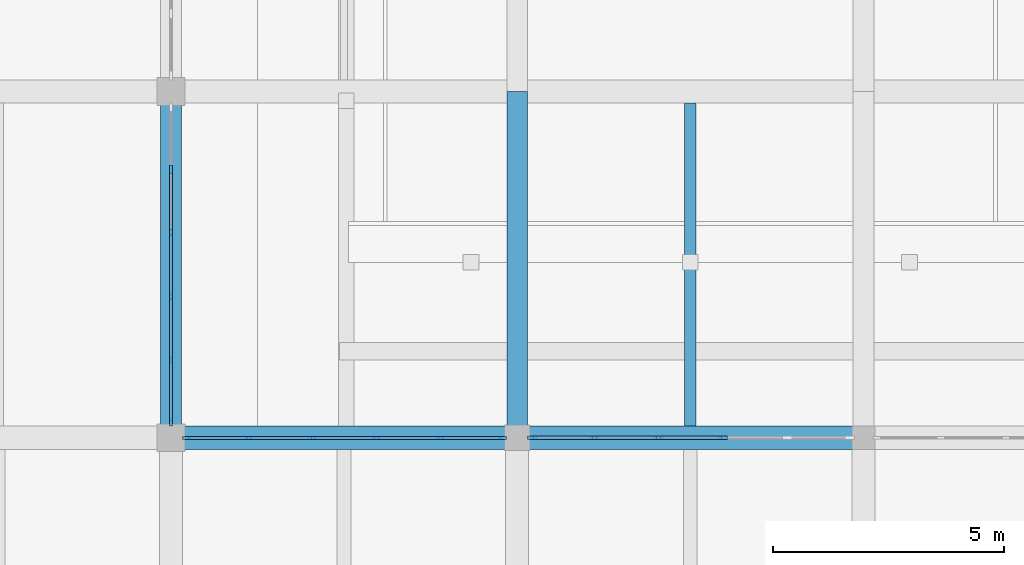
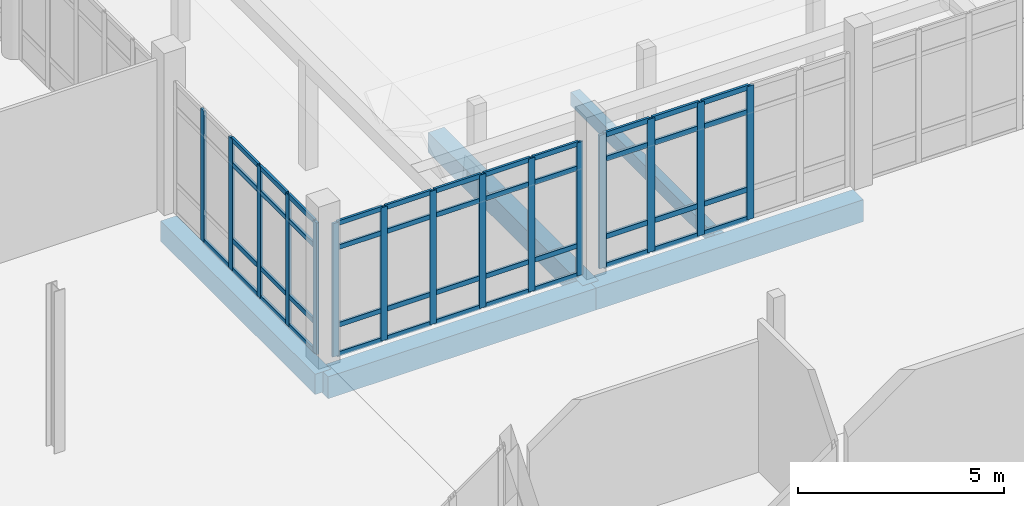
# One storey, part 35 of 125: 60 members, 5 beams, 3 elements without a shape of their own.
"""IFC4 building model written with IfcOpenShell, lengths in metres."""

from ifc_helpers import new_model, si_unit, direction, frame, origin, origin_2d, place, context, subcontext, project, spatial, rectangle, extrude, material, layer, layer_set, material_profile, profile_set, type_object, element, aggregate, save


model = new_model("IFC4")

# Units and contexts
model_context = context("Model", 3, precision=1e-05, world=origin(), true_north=direction((0.0, 1.0)))
body_context = subcontext(model_context, "Body", "Model", "MODEL_VIEW")
ifc_project = project(units=[si_unit("LENGTHUNIT", "METRE"), si_unit("AREAUNIT", "SQUARE_METRE"), si_unit("VOLUMEUNIT", "CUBIC_METRE"), si_unit("PLANEANGLEUNIT", "RADIAN"), si_unit("MASSUNIT", "GRAM", prefix="KILO")], contexts=[model_context])

# Site, building, storey
site_placement = place(None, origin())
site = spatial("IfcSite", under=ifc_project, at=site_placement, CompositionType="ELEMENT")
building_placement = place(site_placement, origin())
building = spatial("IfcBuilding", under=site, at=building_placement, Name="Dalvernix Boulevard General Hospital", CompositionType="ELEMENT")
storey_placement = place(building_placement, origin())
storey = spatial("IfcBuildingStorey", under=building, at=storey_placement, Name="L00", CompositionType="ELEMENT", Elevation=0.0)

# Beams
ifc_material_1 = material(Name="Concrete C35/45", Category="concrete")
ifc_material_profile_1 = material_profile(ifc_material_1, rectangle(XDim=0.5, YDim=0.64990234375, at=origin_2d()), Name="RCB 500x650")
ifc_profile_set_1 = profile_set([ifc_material_profile_1], Name="Concrete C35/45")
beam_type_1 = type_object("IfcBeamType", Name="BM-B-02-I", PredefinedType="BEAM", material=ifc_profile_set_1)
for number, where, z_axis, x_axis, name in (
    (1, (112.5, 31.5, -0.68505859375), (1.0, 0.0, 0.0), (0.0, 1.0, 0.0), "L00 E-W girder E:16-17"),
    (2, (120.0, 31.5, -0.68505859375), (1.0, 0.0, 0.0), (0.0, 1.0, 0.0), "L00 E-W girder E:17-18"),
):
    element("IfcBeam", number, at=place(storey_placement, frame(where, z_axis=z_axis, x_axis=x_axis)), inside=storey, type_object=beam_type_1, Name=name, PredefinedType="BEAM", context=body_context, shape_type="SweptSolid", body=[
        extrude(rectangle(XDim=0.5, YDim=0.64990234375, at=origin_2d()), origin(), (0.0, 0.0, 1.0), 7.5),
    ])
ifc_material_profile_2 = material_profile(ifc_material_1, rectangle(XDim=0.449951171875, YDim=0.60009765625, at=origin_2d()), Name="RCB 450x600")
ifc_profile_set_2 = profile_set([ifc_material_profile_2], Name="Concrete C35/45")
beam_type_2 = type_object("IfcBeamType", Name="BM-B-04-I", PredefinedType="BEAM", material=ifc_profile_set_2)
for number, where, z_axis, x_axis, name in (
    (3, (112.5, 31.5, -0.659912109375), (0.0, 1.0, 0.0), (-1.0, 0.0, 0.0), "L00 N-S girder 16:E-F"),
    (4, (120.0, 31.5, -0.659912109375), (0.0, 1.0, 0.0), (-1.0, 0.0, 0.0), "L00 N-S girder 17:E-F"),
):
    element("IfcBeam", number, at=place(storey_placement, frame(where, z_axis=z_axis, x_axis=x_axis)), inside=storey, type_object=beam_type_2, Name=name, PredefinedType="BEAM", context=body_context, shape_type="SweptSolid", body=[
        extrude(rectangle(XDim=0.449951171875, YDim=0.60009765625, at=origin_2d()), origin(), (0.0, 0.0, 1.0), 7.5),
    ])
ifc_material_profile_3 = material_profile(ifc_material_1, rectangle(XDim=0.25, YDim=0.39990234375, at=origin_2d()), Name="RCB 250x400")
ifc_profile_set_3 = profile_set([ifc_material_profile_3], Name="Concrete C35/45")
beam_type_3 = type_object("IfcBeamType", Name="BM-JB-02", PredefinedType="JOIST", material=ifc_profile_set_3)
beam_placement = place(storey_placement, frame((123.75, 31.75, -0.56005859375), z_axis=(0.0, 1.0, 0.0), x_axis=(-1.0, 0.0, 0.0)))
element("IfcBeam", 5, at=beam_placement, inside=storey, type_object=beam_type_3, Name="L00 secondary floor beam 17-E", PredefinedType="JOIST", context=body_context, shape_type="SweptSolid", body=[
    extrude(rectangle(XDim=0.25, YDim=0.39990234375, at=origin_2d()), origin(), (0.0, 0.0, 1.0), 7.0),
])

# Curtain wall, members
ifc_material_2 = material(Name="Thermally broken aluminium and solar-control glass curtain wall", Category="aluminium")
ifc_layer_1 = layer(ifc_material_2, 0.179931640625)
ifc_layer_set_1 = layer_set([ifc_layer_1], Name="Thermally broken aluminium and solar-control glass curtain wall (CW-CW-B-69x39)")
curtain_wall_type_1 = type_object("IfcCurtainWallType", Name="CW-CW-B-69x39", PredefinedType="USERDEFINED", material=ifc_layer_set_1)
curtain_wall_1_placement = place(storey_placement, origin())
curtain_wall_1 = element("IfcCurtainWall", 6, at=curtain_wall_1_placement, inside=storey, type_object=curtain_wall_type_1, Name="L00 curtain wall CW-B-69x39 15-4", ObjectType="GLAZED FACADE", PredefinedType="USERDEFINED")
ifc_material_3 = material(Name="Aluminium EN AW-6060", Category="aluminium")
ifc_material_profile_4 = material_profile(ifc_material_3, rectangle(XDim=0.06494140625, YDim=0.179931640625, at=origin_2d()), Name="ALU MULL 65x180")
ifc_profile_set_4 = profile_set([ifc_material_profile_4], Name="Aluminium EN AW-6060")
member_type_1 = type_object("IfcMemberType", Name="MEM-CW-M2", PredefinedType="MULLION", material=ifc_profile_set_4)
member_1_placement = place(storey_placement, frame((112.5, 37.31396484375, 0.0), z_axis=(0.0, 0.0, 1.0), x_axis=(1.0, 0.0, 0.0)))
member_1 = element("IfcMember", 7, at=member_1_placement, type_object=member_type_1, Name="CW-B-69x39 mullion 2", PredefinedType="MULLION", context=body_context, shape_type="SweptSolid", body=[
    extrude(rectangle(XDim=0.06494140625, YDim=0.179931640625, at=origin_2d()), origin(), (0.0, 0.0, 1.0), 3.89990234375),
])
member_2_placement = place(storey_placement, frame((112.5, 35.93798828125, 0.0), z_axis=(0.0, 0.0, 1.0), x_axis=(1.0, 0.0, 0.0)))
member_2 = element("IfcMember", 8, at=member_2_placement, type_object=member_type_1, Name="CW-B-69x39 mullion 3", PredefinedType="MULLION", context=body_context, shape_type="SweptSolid", body=[
    extrude(rectangle(XDim=0.06494140625, YDim=0.179931640625, at=origin_2d()), origin(), (0.0, 0.0, 1.0), 3.89990234375),
])
member_3_placement = place(storey_placement, frame((112.5, 34.56201171875, 0.0), z_axis=(0.0, 0.0, 1.0), x_axis=(1.0, 0.0, 0.0)))
member_3 = element("IfcMember", 9, at=member_3_placement, type_object=member_type_1, Name="CW-B-69x39 mullion 4", PredefinedType="MULLION", context=body_context, shape_type="SweptSolid", body=[
    extrude(rectangle(XDim=0.06494140625, YDim=0.179931640625, at=origin_2d()), origin(), (0.0, 0.0, 1.0), 3.89990234375),
])
member_4_placement = place(storey_placement, frame((112.5, 33.18603515625, 0.0), z_axis=(0.0, 0.0, 1.0), x_axis=(1.0, 0.0, 0.0)))
member_4 = element("IfcMember", 10, at=member_4_placement, type_object=member_type_1, Name="CW-B-69x39 mullion 5", PredefinedType="MULLION", context=body_context, shape_type="SweptSolid", body=[
    extrude(rectangle(XDim=0.06494140625, YDim=0.179931640625, at=origin_2d()), origin(), (0.0, 0.0, 1.0), 3.89990234375),
])
member_5_placement = place(storey_placement, frame((112.5, 31.842529296875, 0.0), z_axis=(0.0, 0.0, 1.0), x_axis=(1.0, 0.0, 0.0)))
member_5 = element("IfcMember", 11, at=member_5_placement, type_object=member_type_1, Name="CW-B-69x39 mullion 6", PredefinedType="MULLION", context=body_context, shape_type="SweptSolid", body=[
    extrude(rectangle(XDim=0.06494140625, YDim=0.179931640625, at=origin_2d()), origin(), (0.0, 0.0, 1.0), 3.89990234375),
])

ifc_layer_2 = layer(ifc_material_2, 0.179931640625)
ifc_layer_set_2 = layer_set([ifc_layer_2], Name="Thermally broken aluminium and solar-control glass curtain wall (CW-CW-B-69x40)")
curtain_wall_type_2 = type_object("IfcCurtainWallType", Name="CW-CW-B-69x40", PredefinedType="USERDEFINED", material=ifc_layer_set_2)
curtain_wall_2_placement = place(storey_placement, origin())
curtain_wall_2 = element("IfcCurtainWall", 12, at=curtain_wall_2_placement, inside=storey, type_object=curtain_wall_type_2, Name="L00 curtain wall CW-B-69x40 15-4", ObjectType="GLAZED FACADE", PredefinedType="USERDEFINED")
member_6_placement = place(storey_placement, frame((112.842529296875, 31.5, 0.0), z_axis=(0.0, 0.0, 1.0), x_axis=(0.0, 1.0, 0.0)))
member_6 = element("IfcMember", 13, at=member_6_placement, type_object=member_type_1, Name="CW-B-69x40 mullion 1", PredefinedType="MULLION", context=body_context, shape_type="SweptSolid", body=[
    extrude(rectangle(XDim=0.06494140625, YDim=0.179931640625, at=origin_2d()), origin(), (0.0, 0.0, 1.0), 3.949951171875),
])
member_7_placement = place(storey_placement, frame((114.19091796875, 31.5, 0.0), z_axis=(0.0, 0.0, 1.0), x_axis=(0.0, 1.0, 0.0)))
member_7 = element("IfcMember", 14, at=member_7_placement, type_object=member_type_1, Name="CW-B-69x40 mullion 2", PredefinedType="MULLION", context=body_context, shape_type="SweptSolid", body=[
    extrude(rectangle(XDim=0.06494140625, YDim=0.179931640625, at=origin_2d()), origin(), (0.0, 0.0, 1.0), 3.949951171875),
])
member_8_placement = place(storey_placement, frame((115.572021484375, 31.5, 0.0), z_axis=(0.0, 0.0, 1.0), x_axis=(0.0, 1.0, 0.0)))
member_8 = element("IfcMember", 15, at=member_8_placement, type_object=member_type_1, Name="CW-B-69x40 mullion 3", PredefinedType="MULLION", context=body_context, shape_type="SweptSolid", body=[
    extrude(rectangle(XDim=0.06494140625, YDim=0.179931640625, at=origin_2d()), origin(), (0.0, 0.0, 1.0), 3.949951171875),
])
member_9_placement = place(storey_placement, frame((116.952880859375, 31.5, 0.0), z_axis=(0.0, 0.0, 1.0), x_axis=(0.0, 1.0, 0.0)))
member_9 = element("IfcMember", 16, at=member_9_placement, type_object=member_type_1, Name="CW-B-69x40 mullion 4", PredefinedType="MULLION", context=body_context, shape_type="SweptSolid", body=[
    extrude(rectangle(XDim=0.06494140625, YDim=0.179931640625, at=origin_2d()), origin(), (0.0, 0.0, 1.0), 3.949951171875),
])
member_10_placement = place(storey_placement, frame((118.333984375, 31.5, 0.0), z_axis=(0.0, 0.0, 1.0), x_axis=(0.0, 1.0, 0.0)))
member_10 = element("IfcMember", 17, at=member_10_placement, type_object=member_type_1, Name="CW-B-69x40 mullion 5", PredefinedType="MULLION", context=body_context, shape_type="SweptSolid", body=[
    extrude(rectangle(XDim=0.06494140625, YDim=0.179931640625, at=origin_2d()), origin(), (0.0, 0.0, 1.0), 3.949951171875),
])
member_11_placement = place(storey_placement, frame((119.6826171875, 31.5, 0.0), z_axis=(0.0, 0.0, 1.0), x_axis=(0.0, 1.0, 0.0)))
member_11 = element("IfcMember", 18, at=member_11_placement, type_object=member_type_1, Name="CW-B-69x40 mullion 6", PredefinedType="MULLION", context=body_context, shape_type="SweptSolid", body=[
    extrude(rectangle(XDim=0.06494140625, YDim=0.179931640625, at=origin_2d()), origin(), (0.0, 0.0, 1.0), 3.949951171875),
])

ifc_layer_3 = layer(ifc_material_2, 0.199951171875)
ifc_layer_set_3 = layer_set([ifc_layer_3], Name="Thermally broken aluminium and solar-control glass curtain wall (CW-CW-C-70x40)")
curtain_wall_type_3 = type_object("IfcCurtainWallType", Name="CW-CW-C-70x40", PredefinedType="USERDEFINED", material=ifc_layer_set_3)
curtain_wall_3_placement = place(storey_placement, origin())
curtain_wall_3 = element("IfcCurtainWall", 19, at=curtain_wall_3_placement, inside=storey, type_object=curtain_wall_type_3, Name="L00 curtain wall CW-C-70x40 16-4", ObjectType="GLAZED FACADE", PredefinedType="USERDEFINED")
ifc_material_profile_5 = material_profile(ifc_material_3, rectangle(XDim=0.070068359375, YDim=0.199951171875, at=origin_2d()), Name="ALU MULL 70x200")
ifc_profile_set_5 = profile_set([ifc_material_profile_5], Name="Aluminium EN AW-6060")
member_type_2 = type_object("IfcMemberType", Name="MEM-CW-M3", PredefinedType="MULLION", material=ifc_profile_set_5)
member_12_placement = place(storey_placement, frame((120.320068359375, 31.5, 0.0), z_axis=(0.0, 0.0, 1.0), x_axis=(0.0, 1.0, 0.0)))
member_12 = element("IfcMember", 20, at=member_12_placement, type_object=member_type_2, Name="CW-C-70x40 mullion 1", PredefinedType="MULLION", context=body_context, shape_type="SweptSolid", body=[
    extrude(rectangle(XDim=0.070068359375, YDim=0.199951171875, at=origin_2d()), origin(), (0.0, 0.0, 1.0), 3.949951171875),
])
member_13_placement = place(storey_placement, frame((121.676025390625, 31.5, 0.0), z_axis=(0.0, 0.0, 1.0), x_axis=(0.0, 1.0, 0.0)))
member_13 = element("IfcMember", 21, at=member_13_placement, type_object=member_type_2, Name="CW-C-70x40 mullion 2", PredefinedType="MULLION", context=body_context, shape_type="SweptSolid", body=[
    extrude(rectangle(XDim=0.070068359375, YDim=0.199951171875, at=origin_2d()), origin(), (0.0, 0.0, 1.0), 3.949951171875),
])
member_14_placement = place(storey_placement, frame((123.06689453125, 31.5, 0.0), z_axis=(0.0, 0.0, 1.0), x_axis=(0.0, 1.0, 0.0)))
member_14 = element("IfcMember", 22, at=member_14_placement, type_object=member_type_2, Name="CW-C-70x40 mullion 3", PredefinedType="MULLION", context=body_context, shape_type="SweptSolid", body=[
    extrude(rectangle(XDim=0.070068359375, YDim=0.199951171875, at=origin_2d()), origin(), (0.0, 0.0, 1.0), 3.949951171875),
])
member_15_placement = place(storey_placement, frame((124.4580078125, 31.5, 0.0), z_axis=(0.0, 0.0, 1.0), x_axis=(0.0, 1.0, 0.0)))
member_15 = element("IfcMember", 23, at=member_15_placement, type_object=member_type_2, Name="CW-C-70x40 mullion 4", PredefinedType="MULLION", context=body_context, shape_type="SweptSolid", body=[
    extrude(rectangle(XDim=0.070068359375, YDim=0.199951171875, at=origin_2d()), origin(), (0.0, 0.0, 1.0), 3.949951171875),
])

# Member
ifc_material_profile_6 = material_profile(ifc_material_3, rectangle(XDim=0.06494140625, YDim=0.139892578125, at=origin_2d()), Name="ALU TRAN 65x140")
ifc_profile_set_6 = profile_set([ifc_material_profile_6], Name="Aluminium EN AW-6060")
member_type_3 = type_object("IfcMemberType", Name="MEM-CW-T2", PredefinedType="USERDEFINED", material=ifc_profile_set_6)
member_16_placement = place(storey_placement, frame((112.5, 37.281494140625, 0.032470703125), z_axis=(0.0, -1.0, 0.0), x_axis=(1.0, 0.0, 0.0)))
member_16 = element("IfcMember", 24, at=member_16_placement, type_object=member_type_3, Name="CW-B-69x39 transom 2.1", ObjectType="TRANSOM", PredefinedType="USERDEFINED", context=body_context, shape_type="SweptSolid", body=[
    extrude(rectangle(XDim=0.06494140625, YDim=0.139892578125, at=origin_2d()), origin(), (0.0, 0.0, 1.0), 1.31103515625),
])

member_17_placement = place(storey_placement, frame((112.5, 35.905517578125, 0.032470703125), z_axis=(0.0, -1.0, 0.0), x_axis=(1.0, 0.0, 0.0)))
member_17 = element("IfcMember", 25, at=member_17_placement, type_object=member_type_3, Name="CW-B-69x39 transom 3.1", ObjectType="TRANSOM", PredefinedType="USERDEFINED", context=body_context, shape_type="SweptSolid", body=[
    extrude(rectangle(XDim=0.06494140625, YDim=0.139892578125, at=origin_2d()), origin(), (0.0, 0.0, 1.0), 1.31103515625),
])

member_18_placement = place(storey_placement, frame((112.5, 35.905517578125, 0.89990234375), z_axis=(0.0, -1.0, 0.0), x_axis=(1.0, 0.0, 0.0)))
member_18 = element("IfcMember", 26, at=member_18_placement, type_object=member_type_3, Name="CW-B-69x39 transom 3.2", ObjectType="TRANSOM", PredefinedType="USERDEFINED", context=body_context, shape_type="SweptSolid", body=[
    extrude(rectangle(XDim=0.06494140625, YDim=0.139892578125, at=origin_2d()), origin(), (0.0, 0.0, 1.0), 1.31103515625),
])

member_19_placement = place(storey_placement, frame((112.5, 35.905517578125, 3.14990234375), z_axis=(0.0, -1.0, 0.0), x_axis=(1.0, 0.0, 0.0)))
member_19 = element("IfcMember", 27, at=member_19_placement, type_object=member_type_3, Name="CW-B-69x39 transom 3.3", ObjectType="TRANSOM", PredefinedType="USERDEFINED", context=body_context, shape_type="SweptSolid", body=[
    extrude(rectangle(XDim=0.06494140625, YDim=0.139892578125, at=origin_2d()), origin(), (0.0, 0.0, 1.0), 1.31103515625),
])

member_20_placement = place(storey_placement, frame((112.5, 35.905517578125, 3.867431640625), z_axis=(0.0, -1.0, 0.0), x_axis=(1.0, 0.0, 0.0)))
member_20 = element("IfcMember", 28, at=member_20_placement, type_object=member_type_3, Name="CW-B-69x39 transom 3.4", ObjectType="TRANSOM", PredefinedType="USERDEFINED", context=body_context, shape_type="SweptSolid", body=[
    extrude(rectangle(XDim=0.06494140625, YDim=0.139892578125, at=origin_2d()), origin(), (0.0, 0.0, 1.0), 1.31103515625),
])

member_21_placement = place(storey_placement, frame((112.5, 34.529541015625, 0.032470703125), z_axis=(0.0, -1.0, 0.0), x_axis=(1.0, 0.0, 0.0)))
member_21 = element("IfcMember", 29, at=member_21_placement, type_object=member_type_3, Name="CW-B-69x39 transom 4.1", ObjectType="TRANSOM", PredefinedType="USERDEFINED", context=body_context, shape_type="SweptSolid", body=[
    extrude(rectangle(XDim=0.06494140625, YDim=0.139892578125, at=origin_2d()), origin(), (0.0, 0.0, 1.0), 1.31103515625),
])

member_22_placement = place(storey_placement, frame((112.5, 34.529541015625, 0.89990234375), z_axis=(0.0, -1.0, 0.0), x_axis=(1.0, 0.0, 0.0)))
member_22 = element("IfcMember", 30, at=member_22_placement, type_object=member_type_3, Name="CW-B-69x39 transom 4.2", ObjectType="TRANSOM", PredefinedType="USERDEFINED", context=body_context, shape_type="SweptSolid", body=[
    extrude(rectangle(XDim=0.06494140625, YDim=0.139892578125, at=origin_2d()), origin(), (0.0, 0.0, 1.0), 1.31103515625),
])

member_23_placement = place(storey_placement, frame((112.5, 34.529541015625, 3.14990234375), z_axis=(0.0, -1.0, 0.0), x_axis=(1.0, 0.0, 0.0)))
member_23 = element("IfcMember", 31, at=member_23_placement, type_object=member_type_3, Name="CW-B-69x39 transom 4.3", ObjectType="TRANSOM", PredefinedType="USERDEFINED", context=body_context, shape_type="SweptSolid", body=[
    extrude(rectangle(XDim=0.06494140625, YDim=0.139892578125, at=origin_2d()), origin(), (0.0, 0.0, 1.0), 1.31103515625),
])

member_24_placement = place(storey_placement, frame((112.5, 34.529541015625, 3.867431640625), z_axis=(0.0, -1.0, 0.0), x_axis=(1.0, 0.0, 0.0)))
member_24 = element("IfcMember", 32, at=member_24_placement, type_object=member_type_3, Name="CW-B-69x39 transom 4.4", ObjectType="TRANSOM", PredefinedType="USERDEFINED", context=body_context, shape_type="SweptSolid", body=[
    extrude(rectangle(XDim=0.06494140625, YDim=0.139892578125, at=origin_2d()), origin(), (0.0, 0.0, 1.0), 1.31103515625),
])

member_25_placement = place(storey_placement, frame((112.5, 33.153564453125, 0.032470703125), z_axis=(0.0, -1.0, 0.0), x_axis=(1.0, 0.0, 0.0)))
member_25 = element("IfcMember", 33, at=member_25_placement, type_object=member_type_3, Name="CW-B-69x39 transom 5.1", ObjectType="TRANSOM", PredefinedType="USERDEFINED", context=body_context, shape_type="SweptSolid", body=[
    extrude(rectangle(XDim=0.06494140625, YDim=0.139892578125, at=origin_2d()), origin(), (0.0, 0.0, 1.0), 1.278564453125),
])

member_26_placement = place(storey_placement, frame((112.5, 33.153564453125, 0.89990234375), z_axis=(0.0, -1.0, 0.0), x_axis=(1.0, 0.0, 0.0)))
member_26 = element("IfcMember", 34, at=member_26_placement, type_object=member_type_3, Name="CW-B-69x39 transom 5.2", ObjectType="TRANSOM", PredefinedType="USERDEFINED", context=body_context, shape_type="SweptSolid", body=[
    extrude(rectangle(XDim=0.06494140625, YDim=0.139892578125, at=origin_2d()), origin(), (0.0, 0.0, 1.0), 1.278564453125),
])

member_27_placement = place(storey_placement, frame((112.5, 33.153564453125, 3.14990234375), z_axis=(0.0, -1.0, 0.0), x_axis=(1.0, 0.0, 0.0)))
member_27 = element("IfcMember", 35, at=member_27_placement, type_object=member_type_3, Name="CW-B-69x39 transom 5.3", ObjectType="TRANSOM", PredefinedType="USERDEFINED", context=body_context, shape_type="SweptSolid", body=[
    extrude(rectangle(XDim=0.06494140625, YDim=0.139892578125, at=origin_2d()), origin(), (0.0, 0.0, 1.0), 1.278564453125),
])

member_28_placement = place(storey_placement, frame((112.5, 33.153564453125, 3.867431640625), z_axis=(0.0, -1.0, 0.0), x_axis=(1.0, 0.0, 0.0)))
member_28 = element("IfcMember", 36, at=member_28_placement, type_object=member_type_3, Name="CW-B-69x39 transom 5.4", ObjectType="TRANSOM", PredefinedType="USERDEFINED", context=body_context, shape_type="SweptSolid", body=[
    extrude(rectangle(XDim=0.06494140625, YDim=0.139892578125, at=origin_2d()), origin(), (0.0, 0.0, 1.0), 1.278564453125),
])

aggregate(curtain_wall_1, [member_1, member_2, member_3, member_4, member_5, member_16, member_17, member_18, member_19, member_20, member_21, member_22, member_23, member_24, member_25, member_26, member_27, member_28])

member_29_placement = place(storey_placement, frame((112.875, 31.5, 0.032470703125), z_axis=(1.0, 0.0, 0.0), x_axis=(0.0, 1.0, 0.0)))
member_29 = element("IfcMember", 37, at=member_29_placement, type_object=member_type_3, Name="CW-B-69x40 transom 1.1", ObjectType="TRANSOM", PredefinedType="USERDEFINED", context=body_context, shape_type="SweptSolid", body=[
    extrude(rectangle(XDim=0.06494140625, YDim=0.139892578125, at=origin_2d()), origin(), (0.0, 0.0, 1.0), 1.283447265625),
])

member_30_placement = place(storey_placement, frame((112.875, 31.5, 0.89990234375), z_axis=(1.0, 0.0, 0.0), x_axis=(0.0, 1.0, 0.0)))
member_30 = element("IfcMember", 38, at=member_30_placement, type_object=member_type_3, Name="CW-B-69x40 transom 1.2", ObjectType="TRANSOM", PredefinedType="USERDEFINED", context=body_context, shape_type="SweptSolid", body=[
    extrude(rectangle(XDim=0.06494140625, YDim=0.139892578125, at=origin_2d()), origin(), (0.0, 0.0, 1.0), 1.283447265625),
])

member_31_placement = place(storey_placement, frame((112.875, 31.5, 3.199951171875), z_axis=(1.0, 0.0, 0.0), x_axis=(0.0, 1.0, 0.0)))
member_31 = element("IfcMember", 39, at=member_31_placement, type_object=member_type_3, Name="CW-B-69x40 transom 1.3", ObjectType="TRANSOM", PredefinedType="USERDEFINED", context=body_context, shape_type="SweptSolid", body=[
    extrude(rectangle(XDim=0.06494140625, YDim=0.139892578125, at=origin_2d()), origin(), (0.0, 0.0, 1.0), 1.283447265625),
])

member_32_placement = place(storey_placement, frame((112.875, 31.5, 3.91748046875), z_axis=(1.0, 0.0, 0.0), x_axis=(0.0, 1.0, 0.0)))
member_32 = element("IfcMember", 40, at=member_32_placement, type_object=member_type_3, Name="CW-B-69x40 transom 1.4", ObjectType="TRANSOM", PredefinedType="USERDEFINED", context=body_context, shape_type="SweptSolid", body=[
    extrude(rectangle(XDim=0.06494140625, YDim=0.139892578125, at=origin_2d()), origin(), (0.0, 0.0, 1.0), 1.283447265625),
])

member_33_placement = place(storey_placement, frame((114.223388671875, 31.5, 0.032470703125), z_axis=(1.0, 0.0, 0.0), x_axis=(0.0, 1.0, 0.0)))
member_33 = element("IfcMember", 41, at=member_33_placement, type_object=member_type_3, Name="CW-B-69x40 transom 2.1", ObjectType="TRANSOM", PredefinedType="USERDEFINED", context=body_context, shape_type="SweptSolid", body=[
    extrude(rectangle(XDim=0.06494140625, YDim=0.139892578125, at=origin_2d()), origin(), (0.0, 0.0, 1.0), 1.316162109375),
])

member_34_placement = place(storey_placement, frame((114.223388671875, 31.5, 0.89990234375), z_axis=(1.0, 0.0, 0.0), x_axis=(0.0, 1.0, 0.0)))
member_34 = element("IfcMember", 42, at=member_34_placement, type_object=member_type_3, Name="CW-B-69x40 transom 2.2", ObjectType="TRANSOM", PredefinedType="USERDEFINED", context=body_context, shape_type="SweptSolid", body=[
    extrude(rectangle(XDim=0.06494140625, YDim=0.139892578125, at=origin_2d()), origin(), (0.0, 0.0, 1.0), 1.316162109375),
])

member_35_placement = place(storey_placement, frame((114.223388671875, 31.5, 3.199951171875), z_axis=(1.0, 0.0, 0.0), x_axis=(0.0, 1.0, 0.0)))
member_35 = element("IfcMember", 43, at=member_35_placement, type_object=member_type_3, Name="CW-B-69x40 transom 2.3", ObjectType="TRANSOM", PredefinedType="USERDEFINED", context=body_context, shape_type="SweptSolid", body=[
    extrude(rectangle(XDim=0.06494140625, YDim=0.139892578125, at=origin_2d()), origin(), (0.0, 0.0, 1.0), 1.316162109375),
])

member_36_placement = place(storey_placement, frame((114.223388671875, 31.5, 3.91748046875), z_axis=(1.0, 0.0, 0.0), x_axis=(0.0, 1.0, 0.0)))
member_36 = element("IfcMember", 44, at=member_36_placement, type_object=member_type_3, Name="CW-B-69x40 transom 2.4", ObjectType="TRANSOM", PredefinedType="USERDEFINED", context=body_context, shape_type="SweptSolid", body=[
    extrude(rectangle(XDim=0.06494140625, YDim=0.139892578125, at=origin_2d()), origin(), (0.0, 0.0, 1.0), 1.316162109375),
])

member_37_placement = place(storey_placement, frame((115.6044921875, 31.5, 0.032470703125), z_axis=(1.0, 0.0, 0.0), x_axis=(0.0, 1.0, 0.0)))
member_37 = element("IfcMember", 45, at=member_37_placement, type_object=member_type_3, Name="CW-B-69x40 transom 3.1", ObjectType="TRANSOM", PredefinedType="USERDEFINED", context=body_context, shape_type="SweptSolid", body=[
    extrude(rectangle(XDim=0.06494140625, YDim=0.139892578125, at=origin_2d()), origin(), (0.0, 0.0, 1.0), 1.31591796875),
])

member_38_placement = place(storey_placement, frame((115.6044921875, 31.5, 0.89990234375), z_axis=(1.0, 0.0, 0.0), x_axis=(0.0, 1.0, 0.0)))
member_38 = element("IfcMember", 46, at=member_38_placement, type_object=member_type_3, Name="CW-B-69x40 transom 3.2", ObjectType="TRANSOM", PredefinedType="USERDEFINED", context=body_context, shape_type="SweptSolid", body=[
    extrude(rectangle(XDim=0.06494140625, YDim=0.139892578125, at=origin_2d()), origin(), (0.0, 0.0, 1.0), 1.31591796875),
])

member_39_placement = place(storey_placement, frame((115.6044921875, 31.5, 3.199951171875), z_axis=(1.0, 0.0, 0.0), x_axis=(0.0, 1.0, 0.0)))
member_39 = element("IfcMember", 47, at=member_39_placement, type_object=member_type_3, Name="CW-B-69x40 transom 3.3", ObjectType="TRANSOM", PredefinedType="USERDEFINED", context=body_context, shape_type="SweptSolid", body=[
    extrude(rectangle(XDim=0.06494140625, YDim=0.139892578125, at=origin_2d()), origin(), (0.0, 0.0, 1.0), 1.31591796875),
])

member_40_placement = place(storey_placement, frame((115.6044921875, 31.5, 3.91748046875), z_axis=(1.0, 0.0, 0.0), x_axis=(0.0, 1.0, 0.0)))
member_40 = element("IfcMember", 48, at=member_40_placement, type_object=member_type_3, Name="CW-B-69x40 transom 3.4", ObjectType="TRANSOM", PredefinedType="USERDEFINED", context=body_context, shape_type="SweptSolid", body=[
    extrude(rectangle(XDim=0.06494140625, YDim=0.139892578125, at=origin_2d()), origin(), (0.0, 0.0, 1.0), 1.31591796875),
])

member_41_placement = place(storey_placement, frame((116.985595703125, 31.5, 0.032470703125), z_axis=(1.0, 0.0, 0.0), x_axis=(0.0, 1.0, 0.0)))
member_41 = element("IfcMember", 49, at=member_41_placement, type_object=member_type_3, Name="CW-B-69x40 transom 4.1", ObjectType="TRANSOM", PredefinedType="USERDEFINED", context=body_context, shape_type="SweptSolid", body=[
    extrude(rectangle(XDim=0.06494140625, YDim=0.139892578125, at=origin_2d()), origin(), (0.0, 0.0, 1.0), 1.31591796875),
])

member_42_placement = place(storey_placement, frame((116.985595703125, 31.5, 0.89990234375), z_axis=(1.0, 0.0, 0.0), x_axis=(0.0, 1.0, 0.0)))
member_42 = element("IfcMember", 50, at=member_42_placement, type_object=member_type_3, Name="CW-B-69x40 transom 4.2", ObjectType="TRANSOM", PredefinedType="USERDEFINED", context=body_context, shape_type="SweptSolid", body=[
    extrude(rectangle(XDim=0.06494140625, YDim=0.139892578125, at=origin_2d()), origin(), (0.0, 0.0, 1.0), 1.31591796875),
])

member_43_placement = place(storey_placement, frame((116.985595703125, 31.5, 3.199951171875), z_axis=(1.0, 0.0, 0.0), x_axis=(0.0, 1.0, 0.0)))
member_43 = element("IfcMember", 51, at=member_43_placement, type_object=member_type_3, Name="CW-B-69x40 transom 4.3", ObjectType="TRANSOM", PredefinedType="USERDEFINED", context=body_context, shape_type="SweptSolid", body=[
    extrude(rectangle(XDim=0.06494140625, YDim=0.139892578125, at=origin_2d()), origin(), (0.0, 0.0, 1.0), 1.31591796875),
])

member_44_placement = place(storey_placement, frame((116.985595703125, 31.5, 3.91748046875), z_axis=(1.0, 0.0, 0.0), x_axis=(0.0, 1.0, 0.0)))
member_44 = element("IfcMember", 52, at=member_44_placement, type_object=member_type_3, Name="CW-B-69x40 transom 4.4", ObjectType="TRANSOM", PredefinedType="USERDEFINED", context=body_context, shape_type="SweptSolid", body=[
    extrude(rectangle(XDim=0.06494140625, YDim=0.139892578125, at=origin_2d()), origin(), (0.0, 0.0, 1.0), 1.31591796875),
])

member_45_placement = place(storey_placement, frame((118.366455078125, 31.5, 0.032470703125), z_axis=(1.0, 0.0, 0.0), x_axis=(0.0, 1.0, 0.0)))
member_45 = element("IfcMember", 53, at=member_45_placement, type_object=member_type_3, Name="CW-B-69x40 transom 5.1", ObjectType="TRANSOM", PredefinedType="USERDEFINED", context=body_context, shape_type="SweptSolid", body=[
    extrude(rectangle(XDim=0.06494140625, YDim=0.139892578125, at=origin_2d()), origin(), (0.0, 0.0, 1.0), 1.283447265625),
])

member_46_placement = place(storey_placement, frame((118.366455078125, 31.5, 0.89990234375), z_axis=(1.0, 0.0, 0.0), x_axis=(0.0, 1.0, 0.0)))
member_46 = element("IfcMember", 54, at=member_46_placement, type_object=member_type_3, Name="CW-B-69x40 transom 5.2", ObjectType="TRANSOM", PredefinedType="USERDEFINED", context=body_context, shape_type="SweptSolid", body=[
    extrude(rectangle(XDim=0.06494140625, YDim=0.139892578125, at=origin_2d()), origin(), (0.0, 0.0, 1.0), 1.283447265625),
])

member_47_placement = place(storey_placement, frame((118.366455078125, 31.5, 3.199951171875), z_axis=(1.0, 0.0, 0.0), x_axis=(0.0, 1.0, 0.0)))
member_47 = element("IfcMember", 55, at=member_47_placement, type_object=member_type_3, Name="CW-B-69x40 transom 5.3", ObjectType="TRANSOM", PredefinedType="USERDEFINED", context=body_context, shape_type="SweptSolid", body=[
    extrude(rectangle(XDim=0.06494140625, YDim=0.139892578125, at=origin_2d()), origin(), (0.0, 0.0, 1.0), 1.283447265625),
])

member_48_placement = place(storey_placement, frame((118.366455078125, 31.5, 3.91748046875), z_axis=(1.0, 0.0, 0.0), x_axis=(0.0, 1.0, 0.0)))
member_48 = element("IfcMember", 56, at=member_48_placement, type_object=member_type_3, Name="CW-B-69x40 transom 5.4", ObjectType="TRANSOM", PredefinedType="USERDEFINED", context=body_context, shape_type="SweptSolid", body=[
    extrude(rectangle(XDim=0.06494140625, YDim=0.139892578125, at=origin_2d()), origin(), (0.0, 0.0, 1.0), 1.283447265625),
])

aggregate(curtain_wall_2, [member_6, member_7, member_8, member_9, member_10, member_11, member_29, member_30, member_31, member_32, member_33, member_34, member_35, member_36, member_37, member_38, member_39, member_40, member_41, member_42, member_43, member_44, member_45, member_46, member_47, member_48])

ifc_material_profile_7 = material_profile(ifc_material_3, rectangle(XDim=0.070068359375, YDim=0.14990234375, at=origin_2d()), Name="ALU TRAN 70x150")
ifc_profile_set_7 = profile_set([ifc_material_profile_7], Name="Aluminium EN AW-6060")
member_type_4 = type_object("IfcMemberType", Name="MEM-CW-T3", PredefinedType="USERDEFINED", material=ifc_profile_set_7)
member_49_placement = place(storey_placement, frame((120.35498046875, 31.5, 0.034912109375), z_axis=(1.0, 0.0, 0.0), x_axis=(0.0, 1.0, 0.0)))
member_49 = element("IfcMember", 57, at=member_49_placement, type_object=member_type_4, Name="CW-C-70x40 transom 1.1", ObjectType="TRANSOM", PredefinedType="USERDEFINED", context=body_context, shape_type="SweptSolid", body=[
    extrude(rectangle(XDim=0.070068359375, YDim=0.14990234375, at=origin_2d()), origin(), (0.0, 0.0, 1.0), 1.2861328125),
])

member_50_placement = place(storey_placement, frame((120.35498046875, 31.5, 0.89990234375), z_axis=(1.0, 0.0, 0.0), x_axis=(0.0, 1.0, 0.0)))
member_50 = element("IfcMember", 58, at=member_50_placement, type_object=member_type_4, Name="CW-C-70x40 transom 1.2", ObjectType="TRANSOM", PredefinedType="USERDEFINED", context=body_context, shape_type="SweptSolid", body=[
    extrude(rectangle(XDim=0.070068359375, YDim=0.14990234375, at=origin_2d()), origin(), (0.0, 0.0, 1.0), 1.2861328125),
])

member_51_placement = place(storey_placement, frame((120.35498046875, 31.5, 3.199951171875), z_axis=(1.0, 0.0, 0.0), x_axis=(0.0, 1.0, 0.0)))
member_51 = element("IfcMember", 59, at=member_51_placement, type_object=member_type_4, Name="CW-C-70x40 transom 1.3", ObjectType="TRANSOM", PredefinedType="USERDEFINED", context=body_context, shape_type="SweptSolid", body=[
    extrude(rectangle(XDim=0.070068359375, YDim=0.14990234375, at=origin_2d()), origin(), (0.0, 0.0, 1.0), 1.2861328125),
])

member_52_placement = place(storey_placement, frame((120.35498046875, 31.5, 3.9150390625), z_axis=(1.0, 0.0, 0.0), x_axis=(0.0, 1.0, 0.0)))
member_52 = element("IfcMember", 60, at=member_52_placement, type_object=member_type_4, Name="CW-C-70x40 transom 1.4", ObjectType="TRANSOM", PredefinedType="USERDEFINED", context=body_context, shape_type="SweptSolid", body=[
    extrude(rectangle(XDim=0.070068359375, YDim=0.14990234375, at=origin_2d()), origin(), (0.0, 0.0, 1.0), 1.2861328125),
])

member_53_placement = place(storey_placement, frame((121.7109375, 31.5, 0.034912109375), z_axis=(1.0, 0.0, 0.0), x_axis=(0.0, 1.0, 0.0)))
member_53 = element("IfcMember", 61, at=member_53_placement, type_object=member_type_4, Name="CW-C-70x40 transom 2.1", ObjectType="TRANSOM", PredefinedType="USERDEFINED", context=body_context, shape_type="SweptSolid", body=[
    extrude(rectangle(XDim=0.070068359375, YDim=0.14990234375, at=origin_2d()), origin(), (0.0, 0.0, 1.0), 1.321044921875),
])

member_54_placement = place(storey_placement, frame((121.7109375, 31.5, 0.89990234375), z_axis=(1.0, 0.0, 0.0), x_axis=(0.0, 1.0, 0.0)))
member_54 = element("IfcMember", 62, at=member_54_placement, type_object=member_type_4, Name="CW-C-70x40 transom 2.2", ObjectType="TRANSOM", PredefinedType="USERDEFINED", context=body_context, shape_type="SweptSolid", body=[
    extrude(rectangle(XDim=0.070068359375, YDim=0.14990234375, at=origin_2d()), origin(), (0.0, 0.0, 1.0), 1.321044921875),
])

member_55_placement = place(storey_placement, frame((121.7109375, 31.5, 3.199951171875), z_axis=(1.0, 0.0, 0.0), x_axis=(0.0, 1.0, 0.0)))
member_55 = element("IfcMember", 63, at=member_55_placement, type_object=member_type_4, Name="CW-C-70x40 transom 2.3", ObjectType="TRANSOM", PredefinedType="USERDEFINED", context=body_context, shape_type="SweptSolid", body=[
    extrude(rectangle(XDim=0.070068359375, YDim=0.14990234375, at=origin_2d()), origin(), (0.0, 0.0, 1.0), 1.321044921875),
])

member_56_placement = place(storey_placement, frame((121.7109375, 31.5, 3.9150390625), z_axis=(1.0, 0.0, 0.0), x_axis=(0.0, 1.0, 0.0)))
member_56 = element("IfcMember", 64, at=member_56_placement, type_object=member_type_4, Name="CW-C-70x40 transom 2.4", ObjectType="TRANSOM", PredefinedType="USERDEFINED", context=body_context, shape_type="SweptSolid", body=[
    extrude(rectangle(XDim=0.070068359375, YDim=0.14990234375, at=origin_2d()), origin(), (0.0, 0.0, 1.0), 1.321044921875),
])

member_57_placement = place(storey_placement, frame((123.10205078125, 31.5, 0.034912109375), z_axis=(1.0, 0.0, 0.0), x_axis=(0.0, 1.0, 0.0)))
member_57 = element("IfcMember", 65, at=member_57_placement, type_object=member_type_4, Name="CW-C-70x40 transom 3.1", ObjectType="TRANSOM", PredefinedType="USERDEFINED", context=body_context, shape_type="SweptSolid", body=[
    extrude(rectangle(XDim=0.070068359375, YDim=0.14990234375, at=origin_2d()), origin(), (0.0, 0.0, 1.0), 1.321044921875),
])

member_58_placement = place(storey_placement, frame((123.10205078125, 31.5, 0.89990234375), z_axis=(1.0, 0.0, 0.0), x_axis=(0.0, 1.0, 0.0)))
member_58 = element("IfcMember", 66, at=member_58_placement, type_object=member_type_4, Name="CW-C-70x40 transom 3.2", ObjectType="TRANSOM", PredefinedType="USERDEFINED", context=body_context, shape_type="SweptSolid", body=[
    extrude(rectangle(XDim=0.070068359375, YDim=0.14990234375, at=origin_2d()), origin(), (0.0, 0.0, 1.0), 1.321044921875),
])

member_59_placement = place(storey_placement, frame((123.10205078125, 31.5, 3.199951171875), z_axis=(1.0, 0.0, 0.0), x_axis=(0.0, 1.0, 0.0)))
member_59 = element("IfcMember", 67, at=member_59_placement, type_object=member_type_4, Name="CW-C-70x40 transom 3.3", ObjectType="TRANSOM", PredefinedType="USERDEFINED", context=body_context, shape_type="SweptSolid", body=[
    extrude(rectangle(XDim=0.070068359375, YDim=0.14990234375, at=origin_2d()), origin(), (0.0, 0.0, 1.0), 1.321044921875),
])

member_60_placement = place(storey_placement, frame((123.10205078125, 31.5, 3.9150390625), z_axis=(1.0, 0.0, 0.0), x_axis=(0.0, 1.0, 0.0)))
member_60 = element("IfcMember", 68, at=member_60_placement, type_object=member_type_4, Name="CW-C-70x40 transom 3.4", ObjectType="TRANSOM", PredefinedType="USERDEFINED", context=body_context, shape_type="SweptSolid", body=[
    extrude(rectangle(XDim=0.070068359375, YDim=0.14990234375, at=origin_2d()), origin(), (0.0, 0.0, 1.0), 1.321044921875),
])

aggregate(curtain_wall_3, [member_12, member_13, member_14, member_15, member_49, member_50, member_51, member_52, member_53, member_54, member_55, member_56, member_57, member_58, member_59, member_60])

save(model, "model.ifc")
